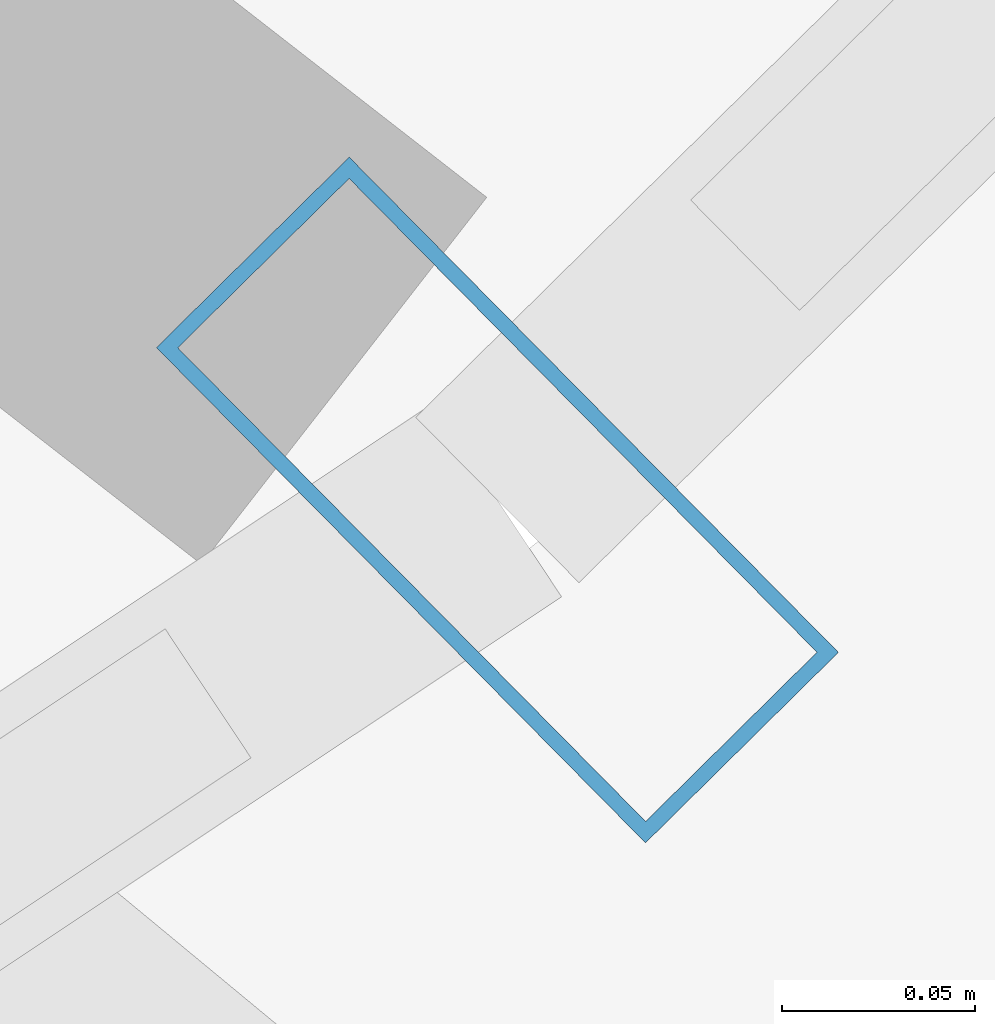
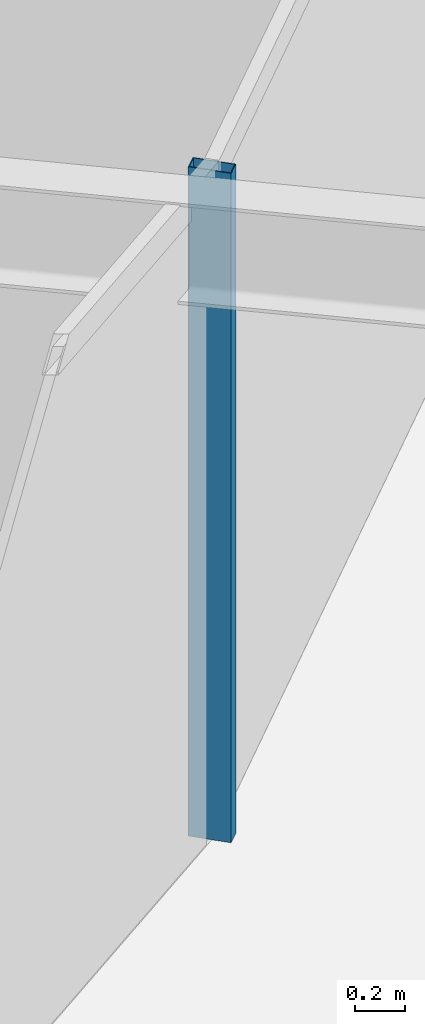
# One storey, part 8 of 19: 1 member, 1 element without a shape of its own.
"""IFC4 building model written with IfcOpenShell, lengths in metres."""

from ifc_helpers import new_model, si_unit, direction, frame, origin, origin_2d, place, context, subcontext, project, spatial, hollow_rectangle, extrude, material, layer, layer_set, material_profile, profile_set, type_object, element, aggregate, save


model = new_model("IFC4")

# Units and contexts
model_context = context("Model", 3, precision=1e-05, world=origin(), true_north=direction((0.0, 1.0)))
body_context = subcontext(model_context, "Body", "Model", "MODEL_VIEW")
ifc_project = project(units=[si_unit("LENGTHUNIT", "METRE"), si_unit("AREAUNIT", "SQUARE_METRE"), si_unit("VOLUMEUNIT", "CUBIC_METRE"), si_unit("PLANEANGLEUNIT", "RADIAN"), si_unit("MASSUNIT", "GRAM", prefix="KILO")], contexts=[model_context])

# Site, building, storey
site_placement = place(None, origin())
site = spatial("IfcSite", under=ifc_project, at=site_placement, CompositionType="ELEMENT")
building_placement = place(site_placement, origin())
building = spatial("IfcBuilding", under=site, at=building_placement, Name="Veldorina Hangang Commons", CompositionType="ELEMENT")
storey_placement = place(building_placement, frame((0.0, 0.0, 70.0)))
storey = spatial("IfcBuildingStorey", under=building, at=storey_placement, Name="L17", CompositionType="ELEMENT", Elevation=70.0)

# Curtain wall, member
ifc_material_1 = material(Name="Glass Low-E Triple IGU", Category="glass")
ifc_layer = layer(ifc_material_1, 0.179931640625)
ifc_layer_set = layer_set([ifc_layer], Name="Glass Low-E Triple IGU")
curtain_wall_type = type_object("IfcCurtainWallType", Name="CW-SYS-Z1", PredefinedType="NOTDEFINED", material=ifc_layer_set)
curtain_wall_placement = place(storey_placement, origin())
curtain_wall = element("IfcCurtainWall", 1, at=curtain_wall_placement, inside=storey, type_object=curtain_wall_type, Name="L17 unitised curtain wall CW-L17-R2", PredefinedType="NOTDEFINED")
ifc_material_2 = material(Name="Aluminium Anodized AA6063-T6", Category="aluminium")
ifc_material_profile = material_profile(ifc_material_2, hollow_rectangle(XDim=0.070068359375, YDim=0.179931640625, WallThickness=0.00390625, at=origin_2d()), Name="ALU-RHS-180x70x4")
ifc_profile_set = profile_set([ifc_material_profile], Name="Aluminium Anodized AA6063-T6")
member_type = type_object("IfcMemberType", Name="CW-MUL-180", PredefinedType="MULLION", material=ifc_profile_set)
member_placement = place(storey_placement, frame((50.66455078125, 8.870849609375, 0.0), z_axis=(0.0, 0.0, 1.0), x_axis=(0.711486621254, 0.702699642648, 0.0)))
member = element("IfcMember", 2, at=member_placement, type_object=member_type, Name="CW-L17-R2 vertical mullion 4", PredefinedType="MULLION", context=body_context, shape_type="SweptSolid", body=[
    extrude(hollow_rectangle(XDim=0.070068359375, YDim=0.179931640625, WallThickness=0.00390625, at=origin_2d()), origin(), (0.0, 0.0, 1.0), 3.300048828125),
])
aggregate(curtain_wall, [member])

save(model, "model.ifc")
